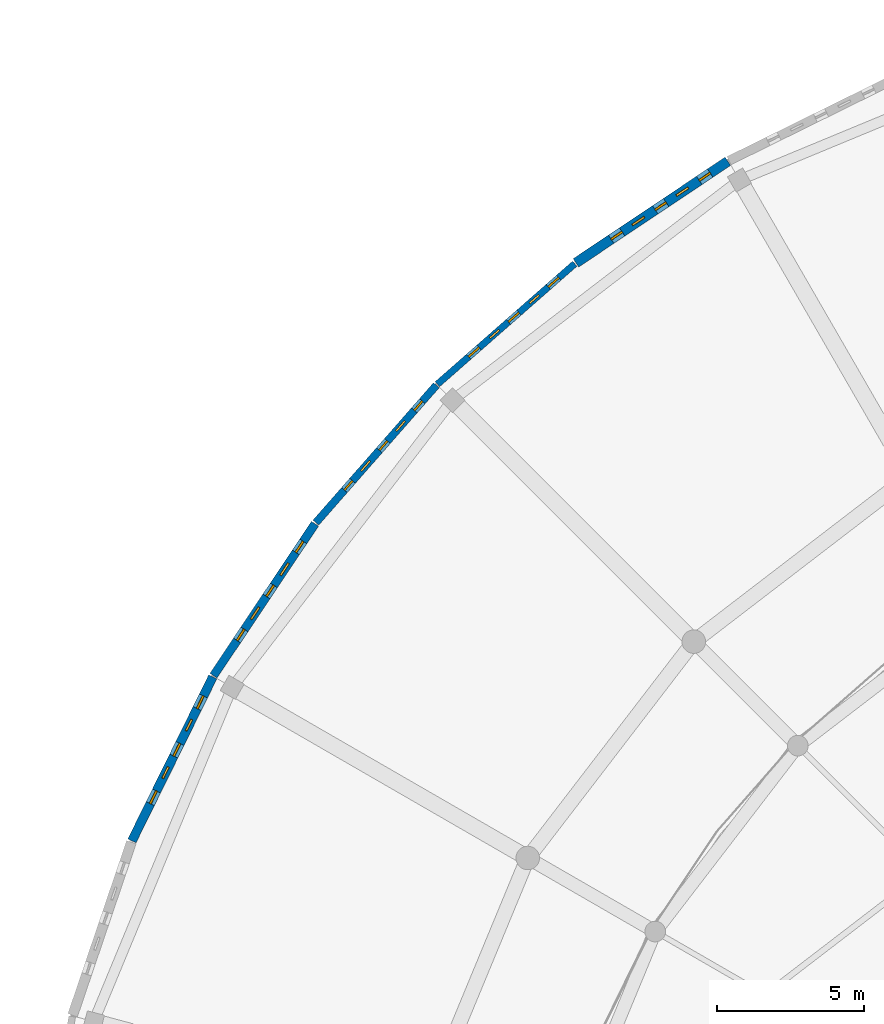
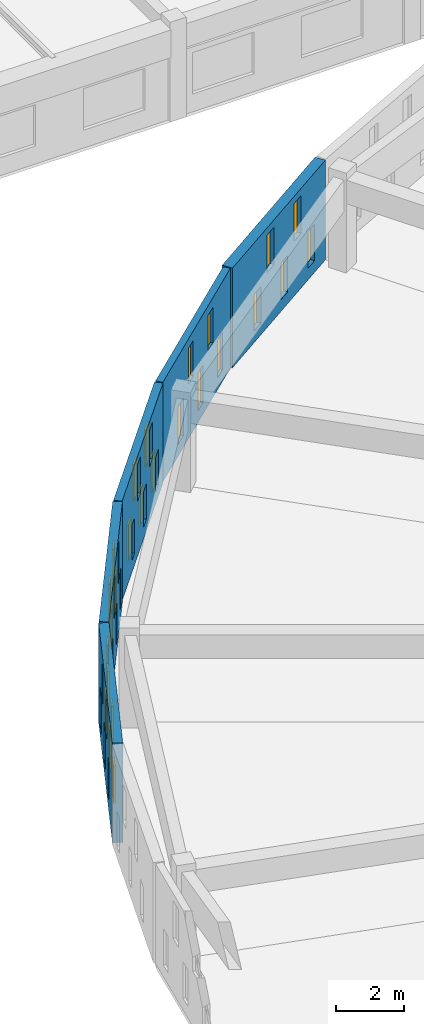
# One storey, part 114 of 155: 25 windows, 5 walls, 25 openings.
"""IFC4 building model written with IfcOpenShell, lengths in metres."""

import ifcopenshell
import ifcopenshell.guid

model = None  # the IFC model being written
_history = None  # IfcOwnerHistory: only IFC2X3 demands one
_inside = {}  # id of a spatial element -> (the spatial element, [elements in it])
_under = {}  # id of a project, library or spatial element -> (it, [spatial elements below it])
_declared = {}  # id of a project -> (the project, [libraries it declares])
_typed = {}  # id of a type object -> (the type object, [elements of that type])
_made_of = {}  # id of a material, layer set ... -> (it, [elements and type objects made of it])


def new_model(schema):
    """Start an empty IFC model of exactly this schema.

    Asked for "IFC4X3", IfcOpenShell would pick the latest addendum, in which some entities
    have other attributes; the version numbers below select the first issue.
    IFC2X3 requires an IfcOwnerHistory on every rooted entity: one is made here for all.
    """
    global model, _history
    if schema == "IFC4X3":
        model = ifcopenshell.file(schema_version=(4, 3, 0, 0))
    else:
        model = ifcopenshell.file(schema=schema)
    _inside.clear()
    _under.clear()
    _declared.clear()
    _typed.clear()
    _made_of.clear()
    _history = None
    if model.schema == "IFC2X3":
        org = make("IfcOrganization", Name="unknown")
        user = make(
            "IfcPersonAndOrganization",
            ThePerson=make("IfcPerson", FamilyName="unknown"),
            TheOrganization=org,
        )
        app = make(
            "IfcApplication",
            ApplicationDeveloper=org,
            Version="unknown",
            ApplicationFullName="unknown",
            ApplicationIdentifier="unknown",
        )
        _history = make(
            "IfcOwnerHistory",
            OwningUser=user,
            OwningApplication=app,
            ChangeAction="ADDED",
            CreationDate=0,
        )
    return model


def make(cls, **values):
    """One entity of the class cls with the attributes given. An attribute that is None is left unset."""
    return model.create_entity(
        cls, **{name: value for name, value in values.items() if value is not None}
    )


def rooted(cls, **values):
    """An entity with a GlobalId (a new one), such as an element, a storey or a relation."""
    return make(cls, GlobalId=ifcopenshell.guid.new(), OwnerHistory=_history, **values)


def si_unit(unit_type, name, prefix=None):
    """IfcSIUnit, for example si_unit("LENGTHUNIT", "METRE", prefix="MILLI")."""
    return make("IfcSIUnit", UnitType=unit_type, Prefix=prefix, Name=name)


def assignment(units):
    """IfcUnitAssignment: the units of a project."""
    return None if units is None else make("IfcUnitAssignment", Units=units)


def point(xyz):
    """IfcCartesianPoint."""
    return None if xyz is None else make("IfcCartesianPoint", Coordinates=xyz)


def direction(xyz):
    """IfcDirection."""
    return None if xyz is None else make("IfcDirection", DirectionRatios=xyz)


def frame(location, z_axis=None, x_axis=None):
    """IfcAxis2Placement3D, a coordinate frame: its origin and axes. An axis left out is left unset."""
    return make(
        "IfcAxis2Placement3D",
        Location=point(location),
        Axis=direction(z_axis),
        RefDirection=direction(x_axis),
    )


def frame_2d(location, x_axis=None):
    """IfcAxis2Placement2D, a coordinate frame in the plane: its origin and x axis."""
    return make(
        "IfcAxis2Placement2D", Location=point(location), RefDirection=direction(x_axis)
    )


def origin():
    """The frame at (0, 0, 0) with its axes left unset."""
    return frame((0.0, 0.0, 0.0))


def place(relative_to, where):
    """IfcLocalPlacement: puts the frame where relative to a parent placement (None: the world)."""
    return make(
        "IfcLocalPlacement", PlacementRelTo=relative_to, RelativePlacement=where
    )


def context(
    kind, dimensions, precision=None, world=None, true_north=None, identifier=None
):
    """IfcGeometricRepresentationContext, for example the 3D "Model" context."""
    return make(
        "IfcGeometricRepresentationContext",
        ContextIdentifier=identifier,
        ContextType=kind,
        CoordinateSpaceDimension=dimensions,
        Precision=precision,
        WorldCoordinateSystem=world,
        TrueNorth=true_north,
    )


def subcontext(parent, identifier, kind, view, scale=None):
    """IfcGeometricRepresentationSubContext, for example "Body" below "Model"."""
    return make(
        "IfcGeometricRepresentationSubContext",
        ContextIdentifier=identifier,
        ContextType=kind,
        ParentContext=parent,
        TargetScale=scale,
        TargetView=view,
    )


def project(units=None, contexts=None):
    """IfcProject with its units and contexts."""
    return rooted(
        "IfcProject",
        Name="project",
        RepresentationContexts=contexts,
        UnitsInContext=assignment(units),
    )


def spatial(cls, under=None, at=None, **own):
    """A site, building, storey or space (cls), placed at a placement, below another one or the project."""
    s = rooted(cls, ObjectPlacement=at, **own)
    if under is not None:
        _under.setdefault(under.id(), (under, []))[1].append(s)
    return s


def profile(cls, at=None, kind="AREA", **sizes):
    """A parametric profile (cls). Its sizes go by their IFC names, for example OverallWidth=200.0."""
    return make(cls, ProfileType=kind, Position=at, **sizes)


def rectangle(**sizes):
    """IfcRectangleProfileDef."""
    return profile("IfcRectangleProfileDef", **sizes)


def extrude(swept, where, along, depth):
    """IfcExtrudedAreaSolid: the profile swept, set in the frame where, extruded along a direction by depth."""
    return make(
        "IfcExtrudedAreaSolid",
        SweptArea=swept,
        Position=where,
        ExtrudedDirection=direction(along),
        Depth=depth,
    )


def shape(context_of_items, identifier, shape_type, items):
    """IfcShapeRepresentation: the items that make up one representation, for example the "Body"."""
    return make(
        "IfcShapeRepresentation",
        ContextOfItems=context_of_items,
        RepresentationIdentifier=identifier,
        RepresentationType=shape_type,
        Items=items,
    )


def material(Name=None, Category=None):
    """IfcMaterial."""
    return make("IfcMaterial", Name=Name, Category=Category)


def layer(
    of_material, thickness, ventilated=None, Name=None, Category=None, Priority=None
):
    """IfcMaterialLayer: one layer of a wall or slab, of a material (None: an air gap)."""
    return make(
        "IfcMaterialLayer",
        Material=of_material,
        LayerThickness=thickness,
        IsVentilated=ventilated,
        Name=Name,
        Category=Category,
        Priority=Priority,
    )


def layer_set(layers, Name=None):
    """IfcMaterialLayerSet."""
    return make("IfcMaterialLayerSet", MaterialLayers=layers, LayerSetName=Name)


def made_of(thing, what):
    """Note that an element or type object is made of a material, layer set ...; save() writes the relation."""
    if what is not None:
        _made_of.setdefault(what.id(), (what, []))[1].append(thing)
    return thing


def type_object(cls, material=None, **own):
    """A type object (cls), such as IfcWallType, which elements share."""
    return made_of(rooted(cls, **own), material)


def element(
    cls,
    number,
    at=None,
    inside=None,
    cuts=None,
    type_object=None,
    material=None,
    context=None,
    identifier="Body",
    shape_type=None,
    held_by="IfcProductDefinitionShape",
    body=None,
    shapes=None,
    **own,
):
    """One element of the class cls, such as IfcWall. Its Tag is "e" and its number.

    at: its placement. inside: the storey or other place that contains it. cuts: it is an
    opening in that element (IfcRelVoidsElement). A single representation is given by context,
    identifier, shape_type and body (its items); several are given by shapes. held_by: the class
    of the entity that holds the representations. save() writes the other relations.
    """
    e = rooted(cls, Tag="e%d" % number, ObjectPlacement=at, **own)
    if body is not None:
        shapes = [shape(context, identifier, shape_type, body)]
    if shapes is not None:
        e.Representation = make(held_by, Representations=shapes)
    if inside is not None:
        _inside.setdefault(inside.id(), (inside, []))[1].append(e)
    if cuts is not None:
        rooted(
            "IfcRelVoidsElement", RelatingBuildingElement=cuts, RelatedOpeningElement=e
        )
    if type_object is not None:
        _typed.setdefault(type_object.id(), (type_object, []))[1].append(e)
    return made_of(e, material)


def fill(opening, filler):
    """IfcRelFillsElement: the door or window that sits in an opening."""
    return rooted(
        "IfcRelFillsElement",
        RelatingOpeningElement=opening,
        RelatedBuildingElement=filler,
    )


def aggregate(whole, parts):
    """IfcRelAggregates: a whole, such as a stair, and the parts it consists of."""
    return rooted("IfcRelAggregates", RelatingObject=whole, RelatedObjects=parts)


def save(model, path):
    """Write the relations noted so far, then the file.

    IfcRelAggregates (storeys below a building ...), IfcRelContainedInSpatialStructure (elements
    in a storey), IfcRelDefinesByType, IfcRelAssociatesMaterial and IfcRelDeclares: one each for
    every whole, place, type object, material and project.
    """
    for whole, parts in _under.values():
        aggregate(whole, parts)
    for where, things in _inside.values():
        rooted(
            "IfcRelContainedInSpatialStructure",
            RelatedElements=things,
            RelatingStructure=where,
        )
    for kind, things in _typed.values():
        rooted("IfcRelDefinesByType", RelatedObjects=things, RelatingType=kind)
    for what, things in _made_of.values():
        rooted("IfcRelAssociatesMaterial", RelatedObjects=things, RelatingMaterial=what)
    for by, libraries in _declared.values():
        rooted("IfcRelDeclares", RelatingContext=by, RelatedDefinitions=libraries)
    model.write(path)


model = new_model("IFC4")

# Units and contexts
model_context = context("Model", 3, precision=1e-05, world=origin(), true_north=direction((0.0, 1.0)))
body_context = subcontext(model_context, "Body", "Model", "MODEL_VIEW")
ifc_project = project(units=[si_unit("LENGTHUNIT", "METRE"), si_unit("AREAUNIT", "SQUARE_METRE"), si_unit("VOLUMEUNIT", "CUBIC_METRE"), si_unit("PLANEANGLEUNIT", "RADIAN"), si_unit("MASSUNIT", "GRAM", prefix="KILO")], contexts=[model_context])

# Site, building, storey
site_placement = place(None, origin())
site = spatial("IfcSite", under=ifc_project, at=site_placement, CompositionType="ELEMENT")
building_placement = place(site_placement, origin())
building = spatial("IfcBuilding", under=site, at=building_placement, Name="Larkveld Mobility Hub", CompositionType="ELEMENT")
storey_placement = place(building_placement, frame((0.0, 0.0, 8.39990234375)))
storey = spatial("IfcBuildingStorey", under=building, at=storey_placement, Name="L02", CompositionType="ELEMENT", Elevation=8.39990234375)

# Wall, openings, windows
ifc_material_1 = material(Name="Fired clay brick 25 MPa", Category="masonry")
ifc_layer_1 = layer(ifc_material_1, 0.22998046875, Name="Fired clay brick 25 MPa", Category="masonry")
ifc_layer_set_1 = layer_set([ifc_layer_1], Name="Fired clay brick 25 MPa")
wall_type_1 = type_object("IfcWallType", Name="WL-BRK-230", PredefinedType="USERDEFINED", material=ifc_layer_set_1)
wall_1_placement = place(storey_placement, frame((18.85302734375, 85.946044921875, 0.0), z_axis=(0.0, 0.0, 1.0), x_axis=(-0.751874993266, -0.65930569124, 0.0)))
wall_1 = element("IfcWall", 1, at=wall_1_placement, inside=storey, type_object=wall_type_1, Name="Drum Woven Open-Bond Brick Chord L02-0108", ObjectType="PERFORATED BRICK SCREEN", PredefinedType="USERDEFINED", context=body_context, shape_type="SweptSolid", body=[
    extrude(rectangle(XDim=6.2109375, YDim=0.22998046875, at=frame_2d((3.10546875, 0.0))), origin(), (0.0, 0.0, 1.0), 3.60009765625),
])
opening_1_placement = place(wall_1_placement, frame((0.719970703125, 0.0, 0.419921875)))
opening_1 = element("IfcOpeningElement", 2, at=opening_1_placement, cuts=wall_1, Name="Opening W03", PredefinedType="OPENING", context=body_context, shape_type="SweptSolid", body=[
    extrude(rectangle(XDim=0.47998046875, YDim=1.360107421875, at=frame_2d((0.239990234375, 0.68017578125))), frame((0.0, 0.125, 0.0), z_axis=(0.0, -1.0, 0.0), x_axis=(1.0, 0.0, 0.0)), (0.0, 0.0, 1.0), 0.25),
])
opening_2_placement = place(wall_1_placement, frame((2.52001953125, 0.0, 0.419921875)))
opening_2 = element("IfcOpeningElement", 3, at=opening_2_placement, cuts=wall_1, Name="Opening W03", PredefinedType="OPENING", context=body_context, shape_type="SweptSolid", body=[
    extrude(rectangle(XDim=0.47998046875, YDim=1.360107421875, at=frame_2d((0.239990234375, 0.68017578125))), frame((0.0, 0.125, 0.0), z_axis=(0.0, -1.0, 0.0), x_axis=(1.0, 0.0, 0.0)), (0.0, 0.0, 1.0), 0.25),
])
opening_3_placement = place(wall_1_placement, frame((4.320068359375, 0.0, 0.419921875)))
opening_3 = element("IfcOpeningElement", 4, at=opening_3_placement, cuts=wall_1, Name="Opening W03", PredefinedType="OPENING", context=body_context, shape_type="SweptSolid", body=[
    extrude(rectangle(XDim=0.47998046875, YDim=1.360107421875, at=frame_2d((0.239990234375, 0.68017578125))), frame((0.0, 0.125, 0.0), z_axis=(0.0, -1.0, 0.0), x_axis=(1.0, 0.0, 0.0)), (0.0, 0.0, 1.0), 0.25),
])
opening_4_placement = place(wall_1_placement, frame((1.6201171875, 0.0, 1.97998046875)))
opening_4 = element("IfcOpeningElement", 5, at=opening_4_placement, cuts=wall_1, Name="Opening W01", PredefinedType="OPENING", context=body_context, shape_type="SweptSolid", body=[
    extrude(rectangle(XDim=0.419921875, YDim=1.280029296875, at=frame_2d((0.2099609375, 0.64013671875))), frame((0.0, 0.125, 0.0), z_axis=(0.0, -1.0, 0.0), x_axis=(1.0, 0.0, 0.0)), (0.0, 0.0, 1.0), 0.25),
])
opening_5_placement = place(wall_1_placement, frame((3.419921875, 0.0, 1.97998046875)))
opening_5 = element("IfcOpeningElement", 6, at=opening_5_placement, cuts=wall_1, Name="Opening W01", PredefinedType="OPENING", context=body_context, shape_type="SweptSolid", body=[
    extrude(rectangle(XDim=0.419921875, YDim=1.280029296875, at=frame_2d((0.2099609375, 0.64013671875))), frame((0.0, 0.125, 0.0), z_axis=(0.0, -1.0, 0.0), x_axis=(1.0, 0.0, 0.0)), (0.0, 0.0, 1.0), 0.25),
])
ifc_material_2 = material(Name="Extruded aluminium ventilation grille", Category="aluminium")
window_type_1 = type_object("IfcWindowType", Name="WN-VENT-01", PartitioningType="SINGLE_PANEL", PredefinedType="WINDOW", material=ifc_material_2)
window_1_placement = place(opening_4_placement, origin())
window_1 = element("IfcWindow", 7, at=window_1_placement, inside=storey, type_object=window_type_1, Name="Window W01 (0529)", OverallHeight=1.280029296875, OverallWidth=0.419921875, PartitioningType="SINGLE_PANEL", PredefinedType="WINDOW", context=body_context, shape_type="SweptSolid", body=[
    extrude(rectangle(XDim=0.419921875, YDim=1.280029296875, at=frame_2d((0.2099609375, 0.64013671875))), frame((0.0, 0.030029296875, 0.0), z_axis=(0.0, -1.0, 0.0), x_axis=(1.0, 0.0, 0.0)), (0.0, 0.0, 1.0), 0.06005859375),
])
fill(opening_4, window_1)
window_2_placement = place(opening_5_placement, origin())
window_2 = element("IfcWindow", 8, at=window_2_placement, inside=storey, type_object=window_type_1, Name="Window W01 (0530)", OverallHeight=1.280029296875, OverallWidth=0.419921875, PartitioningType="SINGLE_PANEL", PredefinedType="WINDOW", context=body_context, shape_type="SweptSolid", body=[
    extrude(rectangle(XDim=0.419921875, YDim=1.280029296875, at=frame_2d((0.2099609375, 0.64013671875))), frame((0.0, 0.030029296875, 0.0), z_axis=(0.0, -1.0, 0.0), x_axis=(1.0, 0.0, 0.0)), (0.0, 0.0, 1.0), 0.06005859375),
])
fill(opening_5, window_2)
window_type_2 = type_object("IfcWindowType", Name="WN-VENT-03", PartitioningType="SINGLE_PANEL", PredefinedType="WINDOW", material=ifc_material_2)
window_3_placement = place(opening_1_placement, origin())
window_3 = element("IfcWindow", 9, at=window_3_placement, inside=storey, type_object=window_type_2, Name="Window W03 (0526)", OverallHeight=1.360107421875, OverallWidth=0.47998046875, PartitioningType="SINGLE_PANEL", PredefinedType="WINDOW", context=body_context, shape_type="SweptSolid", body=[
    extrude(rectangle(XDim=0.47998046875, YDim=1.360107421875, at=frame_2d((0.239990234375, 0.68017578125))), frame((0.0, 0.030029296875, 0.0), z_axis=(0.0, -1.0, 0.0), x_axis=(1.0, 0.0, 0.0)), (0.0, 0.0, 1.0), 0.06005859375),
])
fill(opening_1, window_3)
window_4_placement = place(opening_2_placement, origin())
window_4 = element("IfcWindow", 10, at=window_4_placement, inside=storey, type_object=window_type_2, Name="Window W03 (0527)", OverallHeight=1.360107421875, OverallWidth=0.47998046875, PartitioningType="SINGLE_PANEL", PredefinedType="WINDOW", context=body_context, shape_type="SweptSolid", body=[
    extrude(rectangle(XDim=0.47998046875, YDim=1.360107421875, at=frame_2d((0.239990234375, 0.68017578125))), frame((0.0, 0.030029296875, 0.0), z_axis=(0.0, -1.0, 0.0), x_axis=(1.0, 0.0, 0.0)), (0.0, 0.0, 1.0), 0.06005859375),
])
fill(opening_2, window_4)
window_5_placement = place(opening_3_placement, origin())
window_5 = element("IfcWindow", 11, at=window_5_placement, inside=storey, type_object=window_type_2, Name="Window W03 (0528)", OverallHeight=1.360107421875, OverallWidth=0.47998046875, PartitioningType="SINGLE_PANEL", PredefinedType="WINDOW", context=body_context, shape_type="SweptSolid", body=[
    extrude(rectangle(XDim=0.47998046875, YDim=1.360107421875, at=frame_2d((0.239990234375, 0.68017578125))), frame((0.0, 0.030029296875, 0.0), z_axis=(0.0, -1.0, 0.0), x_axis=(1.0, 0.0, 0.0)), (0.0, 0.0, 1.0), 0.06005859375),
])
fill(opening_3, window_5)

ifc_layer_2 = layer(ifc_material_1, 0.260009765625, Name="Fired clay brick 25 MPa", Category="masonry")
ifc_layer_set_2 = layer_set([ifc_layer_2], Name="Fired clay brick 25 MPa")
wall_type_2 = type_object("IfcWallType", Name="WL-BRK-260", PredefinedType="USERDEFINED", material=ifc_layer_set_2)
wall_2_placement = place(storey_placement, frame((14.14892578125, 81.81689453125, 0.0), z_axis=(0.0, 0.0, 1.0), x_axis=(-0.65930569124, -0.751874993266, 0.0)))
wall_2 = element("IfcWall", 12, at=wall_2_placement, inside=storey, type_object=wall_type_2, Name="Drum Woven Open-Bond Brick Chord L02-0109", ObjectType="PERFORATED BRICK SCREEN", PredefinedType="USERDEFINED", context=body_context, shape_type="SweptSolid", body=[
    extrude(rectangle(XDim=6.2109375, YDim=0.260009765625, at=frame_2d((3.10546875, 0.0))), origin(), (0.0, 0.0, 1.0), 3.60009765625),
])
opening_6_placement = place(wall_2_placement, frame((0.719970703125, 0.0, 0.419921875)))
opening_6 = element("IfcOpeningElement", 13, at=opening_6_placement, cuts=wall_2, Name="Opening W01", PredefinedType="OPENING", context=body_context, shape_type="SweptSolid", body=[
    extrude(rectangle(XDim=0.419921875, YDim=1.280029296875, at=frame_2d((0.2099609375, 0.64013671875))), frame((0.0, 0.14013671875, 0.0), z_axis=(0.0, -1.0, 0.0), x_axis=(1.0, 0.0, 0.0)), (0.0, 0.0, 1.0), 0.280029296875),
])
opening_7_placement = place(wall_2_placement, frame((2.52001953125, 0.0, 0.419921875)))
opening_7 = element("IfcOpeningElement", 14, at=opening_7_placement, cuts=wall_2, Name="Opening W01", PredefinedType="OPENING", context=body_context, shape_type="SweptSolid", body=[
    extrude(rectangle(XDim=0.419921875, YDim=1.280029296875, at=frame_2d((0.2099609375, 0.64013671875))), frame((0.0, 0.14013671875, 0.0), z_axis=(0.0, -1.0, 0.0), x_axis=(1.0, 0.0, 0.0)), (0.0, 0.0, 1.0), 0.280029296875),
])
opening_8_placement = place(wall_2_placement, frame((4.320068359375, 0.0, 0.419921875)))
opening_8 = element("IfcOpeningElement", 15, at=opening_8_placement, cuts=wall_2, Name="Opening W01", PredefinedType="OPENING", context=body_context, shape_type="SweptSolid", body=[
    extrude(rectangle(XDim=0.419921875, YDim=1.280029296875, at=frame_2d((0.2099609375, 0.64013671875))), frame((0.0, 0.14013671875, 0.0), z_axis=(0.0, -1.0, 0.0), x_axis=(1.0, 0.0, 0.0)), (0.0, 0.0, 1.0), 0.280029296875),
])
opening_9_placement = place(wall_2_placement, frame((1.6201171875, 0.0, 1.97998046875)))
opening_9 = element("IfcOpeningElement", 16, at=opening_9_placement, cuts=wall_2, Name="Opening W02", PredefinedType="OPENING", context=body_context, shape_type="SweptSolid", body=[
    extrude(rectangle(XDim=0.449951171875, YDim=1.320068359375, at=frame_2d((0.22509765625, 0.66015625))), frame((0.0, 0.14013671875, 0.0), z_axis=(0.0, -1.0, 0.0), x_axis=(1.0, 0.0, 0.0)), (0.0, 0.0, 1.0), 0.280029296875),
])
opening_10_placement = place(wall_2_placement, frame((3.419921875, 0.0, 1.97998046875)))
opening_10 = element("IfcOpeningElement", 17, at=opening_10_placement, cuts=wall_2, Name="Opening W02", PredefinedType="OPENING", context=body_context, shape_type="SweptSolid", body=[
    extrude(rectangle(XDim=0.449951171875, YDim=1.320068359375, at=frame_2d((0.22509765625, 0.66015625))), frame((0.0, 0.14013671875, 0.0), z_axis=(0.0, -1.0, 0.0), x_axis=(1.0, 0.0, 0.0)), (0.0, 0.0, 1.0), 0.280029296875),
])
window_6_placement = place(opening_6_placement, origin())
window_6 = element("IfcWindow", 18, at=window_6_placement, inside=storey, type_object=window_type_1, Name="Window W01 (0531)", OverallHeight=1.280029296875, OverallWidth=0.419921875, PartitioningType="SINGLE_PANEL", PredefinedType="WINDOW", context=body_context, shape_type="SweptSolid", body=[
    extrude(rectangle(XDim=0.419921875, YDim=1.280029296875, at=frame_2d((0.2099609375, 0.64013671875))), frame((0.0, 0.030029296875, 0.0), z_axis=(0.0, -1.0, 0.0), x_axis=(1.0, 0.0, 0.0)), (0.0, 0.0, 1.0), 0.06005859375),
])
fill(opening_6, window_6)
window_7_placement = place(opening_7_placement, origin())
window_7 = element("IfcWindow", 19, at=window_7_placement, inside=storey, type_object=window_type_1, Name="Window W01 (0532)", OverallHeight=1.280029296875, OverallWidth=0.419921875, PartitioningType="SINGLE_PANEL", PredefinedType="WINDOW", context=body_context, shape_type="SweptSolid", body=[
    extrude(rectangle(XDim=0.419921875, YDim=1.280029296875, at=frame_2d((0.2099609375, 0.64013671875))), frame((0.0, 0.030029296875, 0.0), z_axis=(0.0, -1.0, 0.0), x_axis=(1.0, 0.0, 0.0)), (0.0, 0.0, 1.0), 0.06005859375),
])
fill(opening_7, window_7)
window_8_placement = place(opening_8_placement, origin())
window_8 = element("IfcWindow", 20, at=window_8_placement, inside=storey, type_object=window_type_1, Name="Window W01 (0533)", OverallHeight=1.280029296875, OverallWidth=0.419921875, PartitioningType="SINGLE_PANEL", PredefinedType="WINDOW", context=body_context, shape_type="SweptSolid", body=[
    extrude(rectangle(XDim=0.419921875, YDim=1.280029296875, at=frame_2d((0.2099609375, 0.64013671875))), frame((0.0, 0.030029296875, 0.0), z_axis=(0.0, -1.0, 0.0), x_axis=(1.0, 0.0, 0.0)), (0.0, 0.0, 1.0), 0.06005859375),
])
fill(opening_8, window_8)
window_type_3 = type_object("IfcWindowType", Name="WN-VENT-02", PartitioningType="SINGLE_PANEL", PredefinedType="WINDOW", material=ifc_material_2)
window_9_placement = place(opening_9_placement, origin())
window_9 = element("IfcWindow", 21, at=window_9_placement, inside=storey, type_object=window_type_3, Name="Window W02 (0534)", OverallHeight=1.320068359375, OverallWidth=0.449951171875, PartitioningType="SINGLE_PANEL", PredefinedType="WINDOW", context=body_context, shape_type="SweptSolid", body=[
    extrude(rectangle(XDim=0.449951171875, YDim=1.320068359375, at=frame_2d((0.22509765625, 0.66015625))), frame((0.0, 0.030029296875, 0.0), z_axis=(0.0, -1.0, 0.0), x_axis=(1.0, 0.0, 0.0)), (0.0, 0.0, 1.0), 0.06005859375),
])
fill(opening_9, window_9)
window_10_placement = place(opening_10_placement, origin())
window_10 = element("IfcWindow", 22, at=window_10_placement, inside=storey, type_object=window_type_3, Name="Window W02 (0535)", OverallHeight=1.320068359375, OverallWidth=0.449951171875, PartitioningType="SINGLE_PANEL", PredefinedType="WINDOW", context=body_context, shape_type="SweptSolid", body=[
    extrude(rectangle(XDim=0.449951171875, YDim=1.320068359375, at=frame_2d((0.22509765625, 0.66015625))), frame((0.0, 0.030029296875, 0.0), z_axis=(0.0, -1.0, 0.0), x_axis=(1.0, 0.0, 0.0)), (0.0, 0.0, 1.0), 0.06005859375),
])
fill(opening_10, window_10)

ifc_layer_3 = layer(ifc_material_1, 0.2900390625, Name="Fired clay brick 25 MPa", Category="masonry")
ifc_layer_set_3 = layer_set([ifc_layer_3], Name="Fired clay brick 25 MPa")
wall_type_3 = type_object("IfcWallType", Name="WL-BRK-290", PredefinedType="USERDEFINED", material=ifc_layer_set_3)
wall_3_placement = place(storey_placement, frame((10.02490234375, 77.10888671875, 0.0), z_axis=(0.0, 0.0, 1.0), x_axis=(-0.555634193664, -0.831426871608, 0.0)))
wall_3 = element("IfcWall", 23, at=wall_3_placement, inside=storey, type_object=wall_type_3, Name="Drum Woven Open-Bond Brick Chord L02-0110", ObjectType="PERFORATED BRICK SCREEN", PredefinedType="USERDEFINED", context=body_context, shape_type="SweptSolid", body=[
    extrude(rectangle(XDim=6.210693359375, YDim=0.2900390625, at=frame_2d((3.10546875, 0.0))), origin(), (0.0, 0.0, 1.0), 3.60009765625),
])
opening_11_placement = place(wall_3_placement, frame((0.719970703125, 0.0, 0.419921875)))
opening_11 = element("IfcOpeningElement", 24, at=opening_11_placement, cuts=wall_3, Name="Opening W02", PredefinedType="OPENING", context=body_context, shape_type="SweptSolid", body=[
    extrude(rectangle(XDim=0.449951171875, YDim=1.320068359375, at=frame_2d((0.22509765625, 0.66015625))), frame((0.0, 0.155029296875, 0.0), z_axis=(0.0, -1.0, 0.0), x_axis=(1.0, 0.0, 0.0)), (0.0, 0.0, 1.0), 0.31005859375),
])
opening_12_placement = place(wall_3_placement, frame((2.52001953125, 0.0, 0.419921875)))
opening_12 = element("IfcOpeningElement", 25, at=opening_12_placement, cuts=wall_3, Name="Opening W02", PredefinedType="OPENING", context=body_context, shape_type="SweptSolid", body=[
    extrude(rectangle(XDim=0.449951171875, YDim=1.320068359375, at=frame_2d((0.22509765625, 0.66015625))), frame((0.0, 0.155029296875, 0.0), z_axis=(0.0, -1.0, 0.0), x_axis=(1.0, 0.0, 0.0)), (0.0, 0.0, 1.0), 0.31005859375),
])
opening_13_placement = place(wall_3_placement, frame((4.320068359375, 0.0, 0.419921875)))
opening_13 = element("IfcOpeningElement", 26, at=opening_13_placement, cuts=wall_3, Name="Opening W02", PredefinedType="OPENING", context=body_context, shape_type="SweptSolid", body=[
    extrude(rectangle(XDim=0.449951171875, YDim=1.320068359375, at=frame_2d((0.22509765625, 0.66015625))), frame((0.0, 0.155029296875, 0.0), z_axis=(0.0, -1.0, 0.0), x_axis=(1.0, 0.0, 0.0)), (0.0, 0.0, 1.0), 0.31005859375),
])
opening_14_placement = place(wall_3_placement, frame((1.6201171875, 0.0, 1.97998046875)))
opening_14 = element("IfcOpeningElement", 27, at=opening_14_placement, cuts=wall_3, Name="Opening W03", PredefinedType="OPENING", context=body_context, shape_type="SweptSolid", body=[
    extrude(rectangle(XDim=0.47998046875, YDim=1.360107421875, at=frame_2d((0.239990234375, 0.68017578125))), frame((0.0, 0.155029296875, 0.0), z_axis=(0.0, -1.0, 0.0), x_axis=(1.0, 0.0, 0.0)), (0.0, 0.0, 1.0), 0.31005859375),
])
opening_15_placement = place(wall_3_placement, frame((3.419921875, 0.0, 1.97998046875)))
opening_15 = element("IfcOpeningElement", 28, at=opening_15_placement, cuts=wall_3, Name="Opening W03", PredefinedType="OPENING", context=body_context, shape_type="SweptSolid", body=[
    extrude(rectangle(XDim=0.47998046875, YDim=1.360107421875, at=frame_2d((0.239990234375, 0.68017578125))), frame((0.0, 0.155029296875, 0.0), z_axis=(0.0, -1.0, 0.0), x_axis=(1.0, 0.0, 0.0)), (0.0, 0.0, 1.0), 0.31005859375),
])
window_11_placement = place(opening_11_placement, origin())
window_11 = element("IfcWindow", 29, at=window_11_placement, inside=storey, type_object=window_type_3, Name="Window W02 (0536)", OverallHeight=1.320068359375, OverallWidth=0.449951171875, PartitioningType="SINGLE_PANEL", PredefinedType="WINDOW", context=body_context, shape_type="SweptSolid", body=[
    extrude(rectangle(XDim=0.449951171875, YDim=1.320068359375, at=frame_2d((0.22509765625, 0.66015625))), frame((0.0, 0.030029296875, 0.0), z_axis=(0.0, -1.0, 0.0), x_axis=(1.0, 0.0, 0.0)), (0.0, 0.0, 1.0), 0.06005859375),
])
fill(opening_11, window_11)
window_12_placement = place(opening_12_placement, origin())
window_12 = element("IfcWindow", 30, at=window_12_placement, inside=storey, type_object=window_type_3, Name="Window W02 (0537)", OverallHeight=1.320068359375, OverallWidth=0.449951171875, PartitioningType="SINGLE_PANEL", PredefinedType="WINDOW", context=body_context, shape_type="SweptSolid", body=[
    extrude(rectangle(XDim=0.449951171875, YDim=1.320068359375, at=frame_2d((0.22509765625, 0.66015625))), frame((0.0, 0.030029296875, 0.0), z_axis=(0.0, -1.0, 0.0), x_axis=(1.0, 0.0, 0.0)), (0.0, 0.0, 1.0), 0.06005859375),
])
fill(opening_12, window_12)
window_13_placement = place(opening_13_placement, origin())
window_13 = element("IfcWindow", 31, at=window_13_placement, inside=storey, type_object=window_type_3, Name="Window W02 (0538)", OverallHeight=1.320068359375, OverallWidth=0.449951171875, PartitioningType="SINGLE_PANEL", PredefinedType="WINDOW", context=body_context, shape_type="SweptSolid", body=[
    extrude(rectangle(XDim=0.449951171875, YDim=1.320068359375, at=frame_2d((0.22509765625, 0.66015625))), frame((0.0, 0.030029296875, 0.0), z_axis=(0.0, -1.0, 0.0), x_axis=(1.0, 0.0, 0.0)), (0.0, 0.0, 1.0), 0.06005859375),
])
fill(opening_13, window_13)
window_14_placement = place(opening_14_placement, origin())
window_14 = element("IfcWindow", 32, at=window_14_placement, inside=storey, type_object=window_type_2, Name="Window W03 (0539)", OverallHeight=1.360107421875, OverallWidth=0.47998046875, PartitioningType="SINGLE_PANEL", PredefinedType="WINDOW", context=body_context, shape_type="SweptSolid", body=[
    extrude(rectangle(XDim=0.47998046875, YDim=1.360107421875, at=frame_2d((0.239990234375, 0.68017578125))), frame((0.0, 0.030029296875, 0.0), z_axis=(0.0, -1.0, 0.0), x_axis=(1.0, 0.0, 0.0)), (0.0, 0.0, 1.0), 0.06005859375),
])
fill(opening_14, window_14)
window_15_placement = place(opening_15_placement, origin())
window_15 = element("IfcWindow", 33, at=window_15_placement, inside=storey, type_object=window_type_2, Name="Window W03 (0540)", OverallHeight=1.360107421875, OverallWidth=0.47998046875, PartitioningType="SINGLE_PANEL", PredefinedType="WINDOW", context=body_context, shape_type="SweptSolid", body=[
    extrude(rectangle(XDim=0.47998046875, YDim=1.360107421875, at=frame_2d((0.239990234375, 0.68017578125))), frame((0.0, 0.030029296875, 0.0), z_axis=(0.0, -1.0, 0.0), x_axis=(1.0, 0.0, 0.0)), (0.0, 0.0, 1.0), 0.06005859375),
])
fill(opening_15, window_15)

ifc_layer_4 = layer(ifc_material_1, 0.31005859375, Name="Fired clay brick 25 MPa", Category="masonry")
ifc_layer_set_4 = layer_set([ifc_layer_4], Name="Fired clay brick 25 MPa")
wall_type_4 = type_object("IfcWallType", Name="WL-BRK-310", PredefinedType="USERDEFINED", material=ifc_layer_set_4)
wall_4_placement = place(storey_placement, frame((6.550048828125, 71.903076171875, 0.0), z_axis=(0.0, 0.0, 1.0), x_axis=(-0.442316740488, -0.896858908126, 0.0)))
wall_4 = element("IfcWall", 34, at=wall_4_placement, inside=storey, type_object=wall_type_4, Name="Drum Woven Open-Bond Brick Chord L02-0111", ObjectType="PERFORATED BRICK SCREEN", PredefinedType="USERDEFINED", context=body_context, shape_type="SweptSolid", body=[
    extrude(rectangle(XDim=6.210693359375, YDim=0.31005859375, at=frame_2d((3.10546875, 0.0))), origin(), (0.0, 0.0, 1.0), 3.60009765625),
])
opening_16_placement = place(wall_4_placement, frame((0.719970703125, 0.0, 0.419921875)))
opening_16 = element("IfcOpeningElement", 35, at=opening_16_placement, cuts=wall_4, Name="Opening W03", PredefinedType="OPENING", context=body_context, shape_type="SweptSolid", body=[
    extrude(rectangle(XDim=0.47998046875, YDim=1.360107421875, at=frame_2d((0.239990234375, 0.68017578125))), frame((0.0, 0.1650390625, 0.0), z_axis=(0.0, -1.0, 0.0), x_axis=(1.0, 0.0, 0.0)), (0.0, 0.0, 1.0), 0.330078125),
])
opening_17_placement = place(wall_4_placement, frame((2.52001953125, 0.0, 0.419921875)))
opening_17 = element("IfcOpeningElement", 36, at=opening_17_placement, cuts=wall_4, Name="Opening W03", PredefinedType="OPENING", context=body_context, shape_type="SweptSolid", body=[
    extrude(rectangle(XDim=0.47998046875, YDim=1.360107421875, at=frame_2d((0.239990234375, 0.68017578125))), frame((0.0, 0.1650390625, 0.0), z_axis=(0.0, -1.0, 0.0), x_axis=(1.0, 0.0, 0.0)), (0.0, 0.0, 1.0), 0.330078125),
])
opening_18_placement = place(wall_4_placement, frame((4.320068359375, 0.0, 0.419921875)))
opening_18 = element("IfcOpeningElement", 37, at=opening_18_placement, cuts=wall_4, Name="Opening W03", PredefinedType="OPENING", context=body_context, shape_type="SweptSolid", body=[
    extrude(rectangle(XDim=0.47998046875, YDim=1.360107421875, at=frame_2d((0.239990234375, 0.68017578125))), frame((0.0, 0.1650390625, 0.0), z_axis=(0.0, -1.0, 0.0), x_axis=(1.0, 0.0, 0.0)), (0.0, 0.0, 1.0), 0.330078125),
])
opening_19_placement = place(wall_4_placement, frame((1.6201171875, 0.0, 1.97998046875)))
opening_19 = element("IfcOpeningElement", 38, at=opening_19_placement, cuts=wall_4, Name="Opening W01", PredefinedType="OPENING", context=body_context, shape_type="SweptSolid", body=[
    extrude(rectangle(XDim=0.419921875, YDim=1.280029296875, at=frame_2d((0.2099609375, 0.64013671875))), frame((0.0, 0.1650390625, 0.0), z_axis=(0.0, -1.0, 0.0), x_axis=(1.0, 0.0, 0.0)), (0.0, 0.0, 1.0), 0.330078125),
])
opening_20_placement = place(wall_4_placement, frame((3.419921875, 0.0, 1.97998046875)))
opening_20 = element("IfcOpeningElement", 39, at=opening_20_placement, cuts=wall_4, Name="Opening W01", PredefinedType="OPENING", context=body_context, shape_type="SweptSolid", body=[
    extrude(rectangle(XDim=0.419921875, YDim=1.280029296875, at=frame_2d((0.2099609375, 0.64013671875))), frame((0.0, 0.1650390625, 0.0), z_axis=(0.0, -1.0, 0.0), x_axis=(1.0, 0.0, 0.0)), (0.0, 0.0, 1.0), 0.330078125),
])
window_16_placement = place(opening_19_placement, origin())
window_16 = element("IfcWindow", 40, at=window_16_placement, inside=storey, type_object=window_type_1, Name="Window W01 (0544)", OverallHeight=1.280029296875, OverallWidth=0.419921875, PartitioningType="SINGLE_PANEL", PredefinedType="WINDOW", context=body_context, shape_type="SweptSolid", body=[
    extrude(rectangle(XDim=0.419921875, YDim=1.280029296875, at=frame_2d((0.2099609375, 0.64013671875))), frame((0.0, 0.030029296875, 0.0), z_axis=(0.0, -1.0, 0.0), x_axis=(1.0, 0.0, 0.0)), (0.0, 0.0, 1.0), 0.06005859375),
])
fill(opening_19, window_16)
window_17_placement = place(opening_20_placement, origin())
window_17 = element("IfcWindow", 41, at=window_17_placement, inside=storey, type_object=window_type_1, Name="Window W01 (0545)", OverallHeight=1.280029296875, OverallWidth=0.419921875, PartitioningType="SINGLE_PANEL", PredefinedType="WINDOW", context=body_context, shape_type="SweptSolid", body=[
    extrude(rectangle(XDim=0.419921875, YDim=1.280029296875, at=frame_2d((0.2099609375, 0.64013671875))), frame((0.0, 0.030029296875, 0.0), z_axis=(0.0, -1.0, 0.0), x_axis=(1.0, 0.0, 0.0)), (0.0, 0.0, 1.0), 0.06005859375),
])
fill(opening_20, window_17)
window_18_placement = place(opening_16_placement, origin())
window_18 = element("IfcWindow", 42, at=window_18_placement, inside=storey, type_object=window_type_2, Name="Window W03 (0541)", OverallHeight=1.360107421875, OverallWidth=0.47998046875, PartitioningType="SINGLE_PANEL", PredefinedType="WINDOW", context=body_context, shape_type="SweptSolid", body=[
    extrude(rectangle(XDim=0.47998046875, YDim=1.360107421875, at=frame_2d((0.239990234375, 0.68017578125))), frame((0.0, 0.030029296875, 0.0), z_axis=(0.0, -1.0, 0.0), x_axis=(1.0, 0.0, 0.0)), (0.0, 0.0, 1.0), 0.06005859375),
])
fill(opening_16, window_18)
window_19_placement = place(opening_17_placement, origin())
window_19 = element("IfcWindow", 43, at=window_19_placement, inside=storey, type_object=window_type_2, Name="Window W03 (0542)", OverallHeight=1.360107421875, OverallWidth=0.47998046875, PartitioningType="SINGLE_PANEL", PredefinedType="WINDOW", context=body_context, shape_type="SweptSolid", body=[
    extrude(rectangle(XDim=0.47998046875, YDim=1.360107421875, at=frame_2d((0.239990234375, 0.68017578125))), frame((0.0, 0.030029296875, 0.0), z_axis=(0.0, -1.0, 0.0), x_axis=(1.0, 0.0, 0.0)), (0.0, 0.0, 1.0), 0.06005859375),
])
fill(opening_17, window_19)
window_20_placement = place(opening_18_placement, origin())
window_20 = element("IfcWindow", 44, at=window_20_placement, inside=storey, type_object=window_type_2, Name="Window W03 (0543)", OverallHeight=1.360107421875, OverallWidth=0.47998046875, PartitioningType="SINGLE_PANEL", PredefinedType="WINDOW", context=body_context, shape_type="SweptSolid", body=[
    extrude(rectangle(XDim=0.47998046875, YDim=1.360107421875, at=frame_2d((0.239990234375, 0.68017578125))), frame((0.0, 0.030029296875, 0.0), z_axis=(0.0, -1.0, 0.0), x_axis=(1.0, 0.0, 0.0)), (0.0, 0.0, 1.0), 0.06005859375),
])
fill(opening_18, window_20)

ifc_layer_5 = layer(ifc_material_1, 0.340087890625, Name="Fired clay brick 25 MPa", Category="masonry")
ifc_layer_set_5 = layer_set([ifc_layer_5], Name="Fired clay brick 25 MPa")
wall_type_5 = type_object("IfcWallType", Name="WL-BRK-340", PredefinedType="USERDEFINED", material=ifc_layer_set_5)
wall_5_placement = place(storey_placement, frame((24.054931640625, 89.426025390625, 0.0), z_axis=(0.0, 0.0, 1.0), x_axis=(-0.831426871608, -0.555634193664, 0.0)))
wall_5 = element("IfcWall", 45, at=wall_5_placement, inside=storey, type_object=wall_type_5, Name="Drum Woven Open-Bond Brick Chord L02-0107", ObjectType="PERFORATED BRICK SCREEN", PredefinedType="USERDEFINED", context=body_context, shape_type="SweptSolid", body=[
    extrude(rectangle(XDim=6.210693359375, YDim=0.340087890625, at=frame_2d((3.10546875, 0.0))), origin(), (0.0, 0.0, 1.0), 3.60009765625),
])
opening_21_placement = place(wall_5_placement, frame((0.719970703125, 0.0, 0.419921875)))
opening_21 = element("IfcOpeningElement", 46, at=opening_21_placement, cuts=wall_5, Name="Opening W02", PredefinedType="OPENING", context=body_context, shape_type="SweptSolid", body=[
    extrude(rectangle(XDim=0.449951171875, YDim=1.320068359375, at=frame_2d((0.22509765625, 0.66015625))), frame((0.0, 0.18017578125, 0.0), z_axis=(0.0, -1.0, 0.0), x_axis=(1.0, 0.0, 0.0)), (0.0, 0.0, 1.0), 0.360107421875),
])
opening_22_placement = place(wall_5_placement, frame((2.52001953125, 0.0, 0.419921875)))
opening_22 = element("IfcOpeningElement", 47, at=opening_22_placement, cuts=wall_5, Name="Opening W02", PredefinedType="OPENING", context=body_context, shape_type="SweptSolid", body=[
    extrude(rectangle(XDim=0.449951171875, YDim=1.320068359375, at=frame_2d((0.22509765625, 0.66015625))), frame((0.0, 0.18017578125, 0.0), z_axis=(0.0, -1.0, 0.0), x_axis=(1.0, 0.0, 0.0)), (0.0, 0.0, 1.0), 0.360107421875),
])
opening_23_placement = place(wall_5_placement, frame((4.320068359375, 0.0, 0.419921875)))
opening_23 = element("IfcOpeningElement", 48, at=opening_23_placement, cuts=wall_5, Name="Opening W02", PredefinedType="OPENING", context=body_context, shape_type="SweptSolid", body=[
    extrude(rectangle(XDim=0.449951171875, YDim=1.320068359375, at=frame_2d((0.22509765625, 0.66015625))), frame((0.0, 0.18017578125, 0.0), z_axis=(0.0, -1.0, 0.0), x_axis=(1.0, 0.0, 0.0)), (0.0, 0.0, 1.0), 0.360107421875),
])
opening_24_placement = place(wall_5_placement, frame((1.6201171875, 0.0, 1.97998046875)))
opening_24 = element("IfcOpeningElement", 49, at=opening_24_placement, cuts=wall_5, Name="Opening W03", PredefinedType="OPENING", context=body_context, shape_type="SweptSolid", body=[
    extrude(rectangle(XDim=0.47998046875, YDim=1.360107421875, at=frame_2d((0.239990234375, 0.68017578125))), frame((0.0, 0.18017578125, 0.0), z_axis=(0.0, -1.0, 0.0), x_axis=(1.0, 0.0, 0.0)), (0.0, 0.0, 1.0), 0.360107421875),
])
opening_25_placement = place(wall_5_placement, frame((3.419921875, 0.0, 1.97998046875)))
opening_25 = element("IfcOpeningElement", 50, at=opening_25_placement, cuts=wall_5, Name="Opening W03", PredefinedType="OPENING", context=body_context, shape_type="SweptSolid", body=[
    extrude(rectangle(XDim=0.47998046875, YDim=1.360107421875, at=frame_2d((0.239990234375, 0.68017578125))), frame((0.0, 0.18017578125, 0.0), z_axis=(0.0, -1.0, 0.0), x_axis=(1.0, 0.0, 0.0)), (0.0, 0.0, 1.0), 0.360107421875),
])
window_21_placement = place(opening_21_placement, origin())
window_21 = element("IfcWindow", 51, at=window_21_placement, inside=storey, type_object=window_type_3, Name="Window W02 (0521)", OverallHeight=1.320068359375, OverallWidth=0.449951171875, PartitioningType="SINGLE_PANEL", PredefinedType="WINDOW", context=body_context, shape_type="SweptSolid", body=[
    extrude(rectangle(XDim=0.449951171875, YDim=1.320068359375, at=frame_2d((0.22509765625, 0.66015625))), frame((0.0, 0.030029296875, 0.0), z_axis=(0.0, -1.0, 0.0), x_axis=(1.0, 0.0, 0.0)), (0.0, 0.0, 1.0), 0.06005859375),
])
fill(opening_21, window_21)
window_22_placement = place(opening_22_placement, origin())
window_22 = element("IfcWindow", 52, at=window_22_placement, inside=storey, type_object=window_type_3, Name="Window W02 (0522)", OverallHeight=1.320068359375, OverallWidth=0.449951171875, PartitioningType="SINGLE_PANEL", PredefinedType="WINDOW", context=body_context, shape_type="SweptSolid", body=[
    extrude(rectangle(XDim=0.449951171875, YDim=1.320068359375, at=frame_2d((0.22509765625, 0.66015625))), frame((0.0, 0.030029296875, 0.0), z_axis=(0.0, -1.0, 0.0), x_axis=(1.0, 0.0, 0.0)), (0.0, 0.0, 1.0), 0.06005859375),
])
fill(opening_22, window_22)
window_23_placement = place(opening_23_placement, origin())
window_23 = element("IfcWindow", 53, at=window_23_placement, inside=storey, type_object=window_type_3, Name="Window W02 (0523)", OverallHeight=1.320068359375, OverallWidth=0.449951171875, PartitioningType="SINGLE_PANEL", PredefinedType="WINDOW", context=body_context, shape_type="SweptSolid", body=[
    extrude(rectangle(XDim=0.449951171875, YDim=1.320068359375, at=frame_2d((0.22509765625, 0.66015625))), frame((0.0, 0.030029296875, 0.0), z_axis=(0.0, -1.0, 0.0), x_axis=(1.0, 0.0, 0.0)), (0.0, 0.0, 1.0), 0.06005859375),
])
fill(opening_23, window_23)
window_24_placement = place(opening_24_placement, origin())
window_24 = element("IfcWindow", 54, at=window_24_placement, inside=storey, type_object=window_type_2, Name="Window W03 (0524)", OverallHeight=1.360107421875, OverallWidth=0.47998046875, PartitioningType="SINGLE_PANEL", PredefinedType="WINDOW", context=body_context, shape_type="SweptSolid", body=[
    extrude(rectangle(XDim=0.47998046875, YDim=1.360107421875, at=frame_2d((0.239990234375, 0.68017578125))), frame((0.0, 0.030029296875, 0.0), z_axis=(0.0, -1.0, 0.0), x_axis=(1.0, 0.0, 0.0)), (0.0, 0.0, 1.0), 0.06005859375),
])
fill(opening_24, window_24)
window_25_placement = place(opening_25_placement, origin())
window_25 = element("IfcWindow", 55, at=window_25_placement, inside=storey, type_object=window_type_2, Name="Window W03 (0525)", OverallHeight=1.360107421875, OverallWidth=0.47998046875, PartitioningType="SINGLE_PANEL", PredefinedType="WINDOW", context=body_context, shape_type="SweptSolid", body=[
    extrude(rectangle(XDim=0.47998046875, YDim=1.360107421875, at=frame_2d((0.239990234375, 0.68017578125))), frame((0.0, 0.030029296875, 0.0), z_axis=(0.0, -1.0, 0.0), x_axis=(1.0, 0.0, 0.0)), (0.0, 0.0, 1.0), 0.06005859375),
])
fill(opening_25, window_25)

save(model, "model.ifc")
